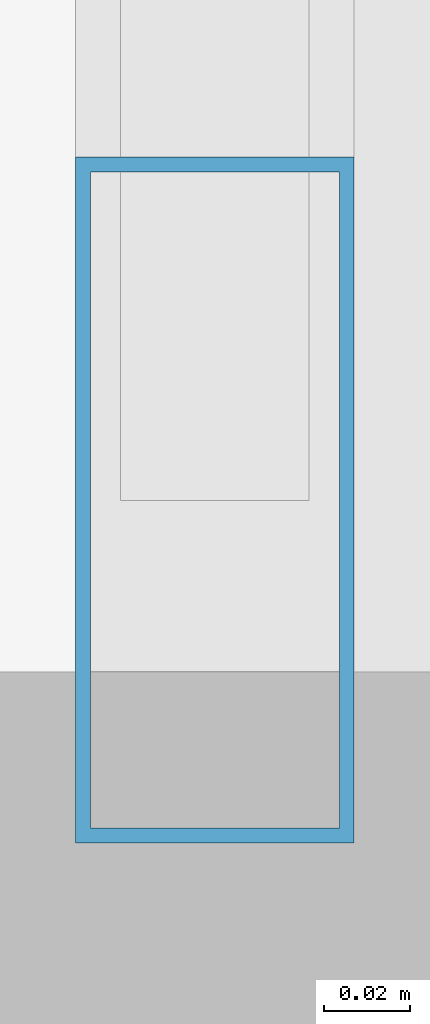
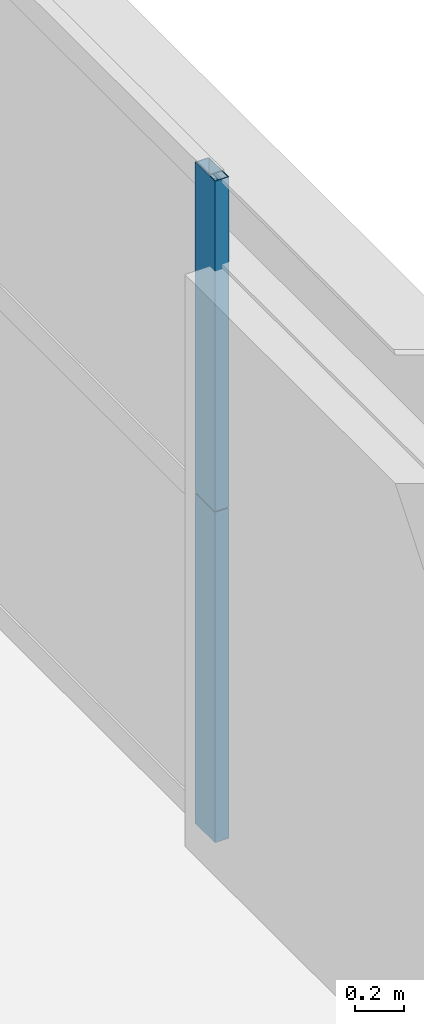
# One storey, part 19 of 42: 2 members, 1 element without a shape of its own.
"""IFC4 building model written with IfcOpenShell, lengths in metres."""

import ifcopenshell
import ifcopenshell.guid

model = None  # the IFC model being written
_history = None  # IfcOwnerHistory: only IFC2X3 demands one
_inside = {}  # id of a spatial element -> (the spatial element, [elements in it])
_under = {}  # id of a project, library or spatial element -> (it, [spatial elements below it])
_declared = {}  # id of a project -> (the project, [libraries it declares])
_typed = {}  # id of a type object -> (the type object, [elements of that type])
_made_of = {}  # id of a material, layer set ... -> (it, [elements and type objects made of it])


def new_model(schema):
    """Start an empty IFC model of exactly this schema.

    Asked for "IFC4X3", IfcOpenShell would pick the latest addendum, in which some entities
    have other attributes; the version numbers below select the first issue.
    IFC2X3 requires an IfcOwnerHistory on every rooted entity: one is made here for all.
    """
    global model, _history
    if schema == "IFC4X3":
        model = ifcopenshell.file(schema_version=(4, 3, 0, 0))
    else:
        model = ifcopenshell.file(schema=schema)
    _inside.clear()
    _under.clear()
    _declared.clear()
    _typed.clear()
    _made_of.clear()
    _history = None
    if model.schema == "IFC2X3":
        org = make("IfcOrganization", Name="unknown")
        user = make(
            "IfcPersonAndOrganization",
            ThePerson=make("IfcPerson", FamilyName="unknown"),
            TheOrganization=org,
        )
        app = make(
            "IfcApplication",
            ApplicationDeveloper=org,
            Version="unknown",
            ApplicationFullName="unknown",
            ApplicationIdentifier="unknown",
        )
        _history = make(
            "IfcOwnerHistory",
            OwningUser=user,
            OwningApplication=app,
            ChangeAction="ADDED",
            CreationDate=0,
        )
    return model


def make(cls, **values):
    """One entity of the class cls with the attributes given. An attribute that is None is left unset."""
    return model.create_entity(
        cls, **{name: value for name, value in values.items() if value is not None}
    )


def rooted(cls, **values):
    """An entity with a GlobalId (a new one), such as an element, a storey or a relation."""
    return make(cls, GlobalId=ifcopenshell.guid.new(), OwnerHistory=_history, **values)


def si_unit(unit_type, name, prefix=None):
    """IfcSIUnit, for example si_unit("LENGTHUNIT", "METRE", prefix="MILLI")."""
    return make("IfcSIUnit", UnitType=unit_type, Prefix=prefix, Name=name)


def assignment(units):
    """IfcUnitAssignment: the units of a project."""
    return None if units is None else make("IfcUnitAssignment", Units=units)


def point(xyz):
    """IfcCartesianPoint."""
    return None if xyz is None else make("IfcCartesianPoint", Coordinates=xyz)


def direction(xyz):
    """IfcDirection."""
    return None if xyz is None else make("IfcDirection", DirectionRatios=xyz)


def frame(location, z_axis=None, x_axis=None):
    """IfcAxis2Placement3D, a coordinate frame: its origin and axes. An axis left out is left unset."""
    return make(
        "IfcAxis2Placement3D",
        Location=point(location),
        Axis=direction(z_axis),
        RefDirection=direction(x_axis),
    )


def frame_2d(location, x_axis=None):
    """IfcAxis2Placement2D, a coordinate frame in the plane: its origin and x axis."""
    return make(
        "IfcAxis2Placement2D", Location=point(location), RefDirection=direction(x_axis)
    )


def origin():
    """The frame at (0, 0, 0) with its axes left unset."""
    return frame((0.0, 0.0, 0.0))


def origin_2d():
    """The frame at (0, 0) in the plane with its x axis left unset."""
    return frame_2d((0.0, 0.0))


def place(relative_to, where):
    """IfcLocalPlacement: puts the frame where relative to a parent placement (None: the world)."""
    return make(
        "IfcLocalPlacement", PlacementRelTo=relative_to, RelativePlacement=where
    )


def context(
    kind, dimensions, precision=None, world=None, true_north=None, identifier=None
):
    """IfcGeometricRepresentationContext, for example the 3D "Model" context."""
    return make(
        "IfcGeometricRepresentationContext",
        ContextIdentifier=identifier,
        ContextType=kind,
        CoordinateSpaceDimension=dimensions,
        Precision=precision,
        WorldCoordinateSystem=world,
        TrueNorth=true_north,
    )


def subcontext(parent, identifier, kind, view, scale=None):
    """IfcGeometricRepresentationSubContext, for example "Body" below "Model"."""
    return make(
        "IfcGeometricRepresentationSubContext",
        ContextIdentifier=identifier,
        ContextType=kind,
        ParentContext=parent,
        TargetScale=scale,
        TargetView=view,
    )


def project(units=None, contexts=None):
    """IfcProject with its units and contexts."""
    return rooted(
        "IfcProject",
        Name="project",
        RepresentationContexts=contexts,
        UnitsInContext=assignment(units),
    )


def spatial(cls, under=None, at=None, **own):
    """A site, building, storey or space (cls), placed at a placement, below another one or the project."""
    s = rooted(cls, ObjectPlacement=at, **own)
    if under is not None:
        _under.setdefault(under.id(), (under, []))[1].append(s)
    return s


def profile(cls, at=None, kind="AREA", **sizes):
    """A parametric profile (cls). Its sizes go by their IFC names, for example OverallWidth=200.0."""
    return make(cls, ProfileType=kind, Position=at, **sizes)


def hollow_rectangle(**sizes):
    """IfcRectangleHollowProfileDef."""
    return profile("IfcRectangleHollowProfileDef", **sizes)


def extrude(swept, where, along, depth):
    """IfcExtrudedAreaSolid: the profile swept, set in the frame where, extruded along a direction by depth."""
    return make(
        "IfcExtrudedAreaSolid",
        SweptArea=swept,
        Position=where,
        ExtrudedDirection=direction(along),
        Depth=depth,
    )


def shape(context_of_items, identifier, shape_type, items):
    """IfcShapeRepresentation: the items that make up one representation, for example the "Body"."""
    return make(
        "IfcShapeRepresentation",
        ContextOfItems=context_of_items,
        RepresentationIdentifier=identifier,
        RepresentationType=shape_type,
        Items=items,
    )


def source(mapping_origin, context_of_items, identifier, shape_type, items):
    """IfcRepresentationMap: a shape defined once, which mapped items show again and again."""
    return make(
        "IfcRepresentationMap",
        MappingOrigin=mapping_origin,
        MappedRepresentation=shape(context_of_items, identifier, shape_type, items),
    )


def transform(
    local_origin,
    x_axis=None,
    y_axis=None,
    z_axis=None,
    scale=None,
    scale2=None,
    scale3=None,
    uniform=True,
):
    """IfcCartesianTransformationOperator3D, or its non-uniform kind. x_axis, y_axis, z_axis: its Axis1, 2, 3."""
    if uniform:
        return make(
            "IfcCartesianTransformationOperator3D",
            Axis1=direction(x_axis),
            Axis2=direction(y_axis),
            LocalOrigin=point(local_origin),
            Scale=scale,
            Axis3=direction(z_axis),
        )
    return make(
        "IfcCartesianTransformationOperator3DnonUniform",
        Axis1=direction(x_axis),
        Axis2=direction(y_axis),
        LocalOrigin=point(local_origin),
        Scale=scale,
        Axis3=direction(z_axis),
        Scale2=scale2,
        Scale3=scale3,
    )


def mapped(mapping_source, mapping_target):
    """IfcMappedItem: shows the shape of a source again, moved by a transform."""
    return make(
        "IfcMappedItem", MappingSource=mapping_source, MappingTarget=mapping_target
    )


def material(Name=None, Category=None):
    """IfcMaterial."""
    return make("IfcMaterial", Name=Name, Category=Category)


def layer(
    of_material, thickness, ventilated=None, Name=None, Category=None, Priority=None
):
    """IfcMaterialLayer: one layer of a wall or slab, of a material (None: an air gap)."""
    return make(
        "IfcMaterialLayer",
        Material=of_material,
        LayerThickness=thickness,
        IsVentilated=ventilated,
        Name=Name,
        Category=Category,
        Priority=Priority,
    )


def layer_set(layers, Name=None):
    """IfcMaterialLayerSet."""
    return make("IfcMaterialLayerSet", MaterialLayers=layers, LayerSetName=Name)


def material_profile(
    of_material, cross_section, Name=None, Category=None, Priority=None
):
    """IfcMaterialProfile: a cross section and its material."""
    return make(
        "IfcMaterialProfile",
        Name=Name,
        Material=of_material,
        Profile=cross_section,
        Priority=Priority,
        Category=Category,
    )


def profile_set(profiles, Name=None, composite=None):
    """IfcMaterialProfileSet."""
    return make(
        "IfcMaterialProfileSet",
        Name=Name,
        MaterialProfiles=profiles,
        CompositeProfile=composite,
    )


def made_of(thing, what):
    """Note that an element or type object is made of a material, layer set ...; save() writes the relation."""
    if what is not None:
        _made_of.setdefault(what.id(), (what, []))[1].append(thing)
    return thing


def type_object(cls, material=None, **own):
    """A type object (cls), such as IfcWallType, which elements share."""
    return made_of(rooted(cls, **own), material)


def element(
    cls,
    number,
    at=None,
    inside=None,
    cuts=None,
    type_object=None,
    material=None,
    context=None,
    identifier="Body",
    shape_type=None,
    held_by="IfcProductDefinitionShape",
    body=None,
    shapes=None,
    **own,
):
    """One element of the class cls, such as IfcWall. Its Tag is "e" and its number.

    at: its placement. inside: the storey or other place that contains it. cuts: it is an
    opening in that element (IfcRelVoidsElement). A single representation is given by context,
    identifier, shape_type and body (its items); several are given by shapes. held_by: the class
    of the entity that holds the representations. save() writes the other relations.
    """
    e = rooted(cls, Tag="e%d" % number, ObjectPlacement=at, **own)
    if body is not None:
        shapes = [shape(context, identifier, shape_type, body)]
    if shapes is not None:
        e.Representation = make(held_by, Representations=shapes)
    if inside is not None:
        _inside.setdefault(inside.id(), (inside, []))[1].append(e)
    if cuts is not None:
        rooted(
            "IfcRelVoidsElement", RelatingBuildingElement=cuts, RelatedOpeningElement=e
        )
    if type_object is not None:
        _typed.setdefault(type_object.id(), (type_object, []))[1].append(e)
    return made_of(e, material)


def aggregate(whole, parts):
    """IfcRelAggregates: a whole, such as a stair, and the parts it consists of."""
    return rooted("IfcRelAggregates", RelatingObject=whole, RelatedObjects=parts)


def save(model, path):
    """Write the relations noted so far, then the file.

    IfcRelAggregates (storeys below a building ...), IfcRelContainedInSpatialStructure (elements
    in a storey), IfcRelDefinesByType, IfcRelAssociatesMaterial and IfcRelDeclares: one each for
    every whole, place, type object, material and project.
    """
    for whole, parts in _under.values():
        aggregate(whole, parts)
    for where, things in _inside.values():
        rooted(
            "IfcRelContainedInSpatialStructure",
            RelatedElements=things,
            RelatingStructure=where,
        )
    for kind, things in _typed.values():
        rooted("IfcRelDefinesByType", RelatedObjects=things, RelatingType=kind)
    for what, things in _made_of.values():
        rooted("IfcRelAssociatesMaterial", RelatedObjects=things, RelatingMaterial=what)
    for by, libraries in _declared.values():
        rooted("IfcRelDeclares", RelatingContext=by, RelatedDefinitions=libraries)
    model.write(path)


model = new_model("IFC4")

# Units and contexts
model_context = context("Model", 3, precision=1e-05, world=origin(), true_north=direction((0.0, 1.0)))
body_context = subcontext(model_context, "Body", "Model", "MODEL_VIEW")
ifc_project = project(units=[si_unit("LENGTHUNIT", "METRE"), si_unit("AREAUNIT", "SQUARE_METRE"), si_unit("VOLUMEUNIT", "CUBIC_METRE"), si_unit("PLANEANGLEUNIT", "RADIAN"), si_unit("MASSUNIT", "GRAM", prefix="KILO"), si_unit("THERMODYNAMICTEMPERATUREUNIT", "KELVIN"), si_unit("POWERUNIT", "WATT")], contexts=[model_context])

# Site, building, storey
site_placement = place(None, origin())
site = spatial("IfcSite", under=ifc_project, at=site_placement, CompositionType="ELEMENT")
building_placement = place(site_placement, origin())
building = spatial("IfcBuilding", under=site, at=building_placement, Name="Yuzanri Waterfront Tower", CompositionType="ELEMENT")
storey_placement = place(building_placement, frame((0.0, 0.0, 184.5)))
storey = spatial("IfcBuildingStorey", under=building, at=storey_placement, Name="L48", CompositionType="ELEMENT", Elevation=184.5)

# Curtain wall, members
ifc_material_1 = material(Name="Anodized Architectural Bronze", Category="metal")
ifc_layer = layer(ifc_material_1, 0.159912109375)
ifc_layer_set = layer_set([ifc_layer], Name="Anodized Architectural Bronze")
curtain_wall_type = type_object("IfcCurtainWallType", Name="Anodized Bronze Mid-Rise Residential Acoustic Unitized Curtain Wall 7200", PredefinedType="NOTDEFINED", material=ifc_layer_set)
curtain_wall_placement = place(storey_placement, origin())
curtain_wall = element("IfcCurtainWall", 1, at=curtain_wall_placement, inside=storey, type_object=curtain_wall_type, Name="L48 Curtain Wall CW-L48-EL", PredefinedType="NOTDEFINED")
ifc_material_2 = material(Name="Anodized Architectural Bronze", Category="metal")
ifc_material_profile = material_profile(ifc_material_2, hollow_rectangle(XDim=0.06494140625, YDim=0.159912109375, WallThickness=0.00341796875, at=origin_2d()), Name="CWM 65x160")
ifc_profile_set = profile_set([ifc_material_profile], Name="Anodized Architectural Bronze")
member_type = type_object("IfcMemberType", Name="Anodized Bronze Upper-Zone Curtain-Wall Mullion 65x160", PredefinedType="MULLION", material=ifc_profile_set)
shared_shape = source(origin(), body_context, "Body", "SweptSolid", [
    extrude(hollow_rectangle(XDim=0.06494140625, YDim=0.159912109375, WallThickness=0.00341796875, at=origin_2d()), origin(), (0.0, 0.0, 1.0), 1.637939453125),
])
member_1_placement = place(storey_placement, frame((58.949951171875, 11.090087890625, 0.0), z_axis=(0.0, 0.0, 1.0), x_axis=(1.0, 0.0, 0.0)))
member_1 = element("IfcMember", 2, at=member_1_placement, type_object=member_type, Name="CW-L48-EL Lower Mullion 00", PredefinedType="MULLION", context=body_context, shape_type="MappedRepresentation", body=[
    mapped(shared_shape, transform((0.0, 0.0, 0.0), scale=1.0)),
])
member_2_placement = place(storey_placement, frame((58.949951171875, 11.090087890625, 1.64208984375), z_axis=(0.0, 0.0, 1.0), x_axis=(1.0, 0.0, 0.0)))
member_2 = element("IfcMember", 3, at=member_2_placement, type_object=member_type, Name="CW-L48-EL Upper Mullion 00", PredefinedType="MULLION", context=body_context, shape_type="MappedRepresentation", body=[
    mapped(shared_shape, transform((0.0, 0.0, 0.0), scale=1.0)),
])
aggregate(curtain_wall, [member_1, member_2])

save(model, "model.ifc")
